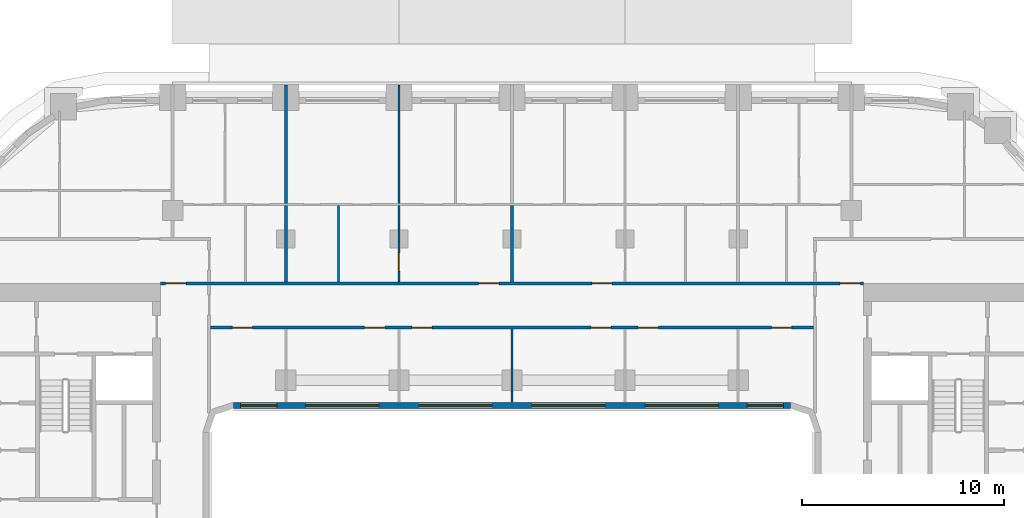
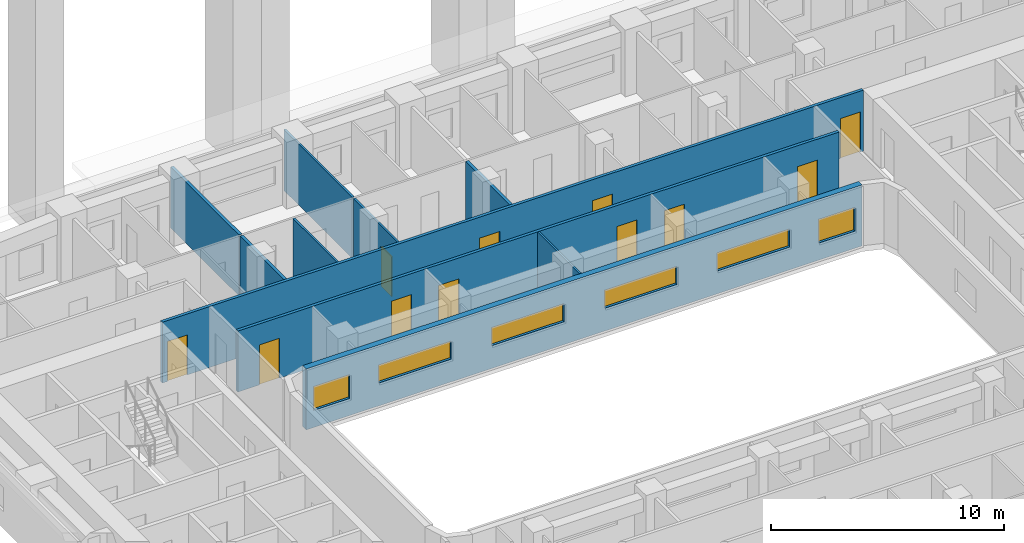
# One storey, part 8 of 19: 11 doors, 10 walls, 6 windows, 17 openings.
"""IFC4 building model written with IfcOpenShell, lengths in metres."""

from ifc_helpers import new_model, si_unit, direction, frame, frame_2d, origin, place, context, subcontext, project, spatial, rectangle, extrude, material, layer, layer_set, type_object, element, fill, save


model = new_model("IFC4")

# Units and contexts
model_context = context("Model", 3, precision=1e-05, world=origin(), true_north=direction((0.0, 1.0)))
body_context = subcontext(model_context, "Body", "Model", "MODEL_VIEW")
ifc_project = project(units=[si_unit("LENGTHUNIT", "METRE"), si_unit("AREAUNIT", "SQUARE_METRE"), si_unit("VOLUMEUNIT", "CUBIC_METRE"), si_unit("PLANEANGLEUNIT", "RADIAN"), si_unit("MASSUNIT", "GRAM", prefix="KILO")], contexts=[model_context])

# Site, building, storey
site_placement = place(None, origin())
site = spatial("IfcSite", under=ifc_project, at=site_placement, CompositionType="ELEMENT")
building_placement = place(site_placement, origin())
building = spatial("IfcBuilding", under=site, at=building_placement, Name="Kiln Ring Residences", CompositionType="ELEMENT")
storey_placement = place(building_placement, frame((0.0, 0.0, 83.300048828125)))
storey = spatial("IfcBuildingStorey", under=building, at=storey_placement, Name="L20", CompositionType="ELEMENT", Elevation=83.300048828125)

# Wall, openings, windows
ifc_material_1 = material(Name="Brick masonry, dark clay brick", Category="masonry")
ifc_layer_1 = layer(ifc_material_1, 0.300048828125)
ifc_layer_set_1 = layer_set([ifc_layer_1], Name="EW-300 BRICK WALL")
wall_type_1 = type_object("IfcWallType", Name="EW-300 BRICK WALL", PredefinedType="SOLIDWALL", material=ifc_layer_set_1)
wall_1_placement = place(storey_placement, frame((-13.800048828125, 7.14990234375, 0.0), z_axis=(0.0, 0.0, 1.0), x_axis=(1.0, 0.0, 0.0)))
wall_1 = element("IfcWall", 1, at=wall_1_placement, inside=storey, type_object=wall_type_1, Name="Facade wall L20 50", PredefinedType="SOLIDWALL", context=body_context, shape_type="SweptSolid", body=[
    extrude(rectangle(XDim=27.60009765625, YDim=0.300048828125, at=frame_2d((13.800048828125, 0.0))), origin(), (0.0, 0.0, 1.0), 3.199951171875),
])
opening_1_placement = place(wall_1_placement, frame((0.362548828125, 0.0, 0.89990234375)))
opening_1 = element("IfcOpeningElement", 2, at=opening_1_placement, cuts=wall_1, Name="Opening W2", PredefinedType="OPENING", context=body_context, shape_type="SweptSolid", body=[
    extrude(rectangle(XDim=1.800048828125, YDim=1.25, at=frame_2d((0.89990234375, 0.625))), frame((0.0, 0.159912109375, 0.0), z_axis=(0.0, -1.0, 0.0), x_axis=(1.0, 0.0, 0.0)), (0.0, 0.0, 1.0), 0.320068359375),
])
opening_2_placement = place(wall_1_placement, frame((3.60009765625, 0.0, 1.199951171875)))
opening_2 = element("IfcOpeningElement", 3, at=opening_2_placement, cuts=wall_1, Name="Opening W4", PredefinedType="OPENING", context=body_context, shape_type="SweptSolid", body=[
    extrude(rectangle(XDim=3.60009765625, YDim=0.949951171875, at=frame_2d((1.800048828125, 0.47509765625))), frame((0.0, 0.159912109375, 0.0), z_axis=(0.0, -1.0, 0.0), x_axis=(1.0, 0.0, 0.0)), (0.0, 0.0, 1.0), 0.320068359375),
])
opening_3_placement = place(wall_1_placement, frame((9.199951171875, 0.0, 1.199951171875)))
opening_3 = element("IfcOpeningElement", 4, at=opening_3_placement, cuts=wall_1, Name="Opening W4", PredefinedType="OPENING", context=body_context, shape_type="SweptSolid", body=[
    extrude(rectangle(XDim=3.60009765625, YDim=0.949951171875, at=frame_2d((1.800048828125, 0.47509765625))), frame((0.0, 0.159912109375, 0.0), z_axis=(0.0, -1.0, 0.0), x_axis=(1.0, 0.0, 0.0)), (0.0, 0.0, 1.0), 0.320068359375),
])
opening_4_placement = place(wall_1_placement, frame((14.800048828125, 0.0, 1.199951171875)))
opening_4 = element("IfcOpeningElement", 5, at=opening_4_placement, cuts=wall_1, Name="Opening W4", PredefinedType="OPENING", context=body_context, shape_type="SweptSolid", body=[
    extrude(rectangle(XDim=3.60009765625, YDim=0.949951171875, at=frame_2d((1.800048828125, 0.47509765625))), frame((0.0, 0.159912109375, 0.0), z_axis=(0.0, -1.0, 0.0), x_axis=(1.0, 0.0, 0.0)), (0.0, 0.0, 1.0), 0.320068359375),
])
opening_5_placement = place(wall_1_placement, frame((20.39990234375, 0.0, 1.199951171875)))
opening_5 = element("IfcOpeningElement", 6, at=opening_5_placement, cuts=wall_1, Name="Opening W4", PredefinedType="OPENING", context=body_context, shape_type="SweptSolid", body=[
    extrude(rectangle(XDim=3.60009765625, YDim=0.949951171875, at=frame_2d((1.800048828125, 0.47509765625))), frame((0.0, 0.159912109375, 0.0), z_axis=(0.0, -1.0, 0.0), x_axis=(1.0, 0.0, 0.0)), (0.0, 0.0, 1.0), 0.320068359375),
])
opening_6_placement = place(wall_1_placement, frame((25.4375, 0.0, 0.89990234375)))
opening_6 = element("IfcOpeningElement", 7, at=opening_6_placement, cuts=wall_1, Name="Opening W2", PredefinedType="OPENING", context=body_context, shape_type="SweptSolid", body=[
    extrude(rectangle(XDim=1.800048828125, YDim=1.25, at=frame_2d((0.89990234375, 0.625))), frame((0.0, 0.159912109375, 0.0), z_axis=(0.0, -1.0, 0.0), x_axis=(1.0, 0.0, 0.0)), (0.0, 0.0, 1.0), 0.320068359375),
])
ifc_material_2 = material(Name="Aluminium frame with double glazing", Category="aluminium")
window_type_1 = type_object("IfcWindowType", Name="WINDOW 1800 x 1250", PartitioningType="SINGLE_PANEL", PredefinedType="WINDOW", material=ifc_material_2)
window_1_placement = place(opening_1_placement, origin())
window_1 = element("IfcWindow", 8, at=window_1_placement, inside=storey, type_object=window_type_1, Name="Window L20 29", OverallHeight=1.25, OverallWidth=1.800048828125, PartitioningType="SINGLE_PANEL", PredefinedType="WINDOW", context=body_context, shape_type="SweptSolid", body=[
    extrude(rectangle(XDim=1.800048828125, YDim=1.25, at=frame_2d((0.89990234375, 0.625))), frame((0.0, 0.030029296875, 0.0), z_axis=(0.0, -1.0, 0.0), x_axis=(1.0, 0.0, 0.0)), (0.0, 0.0, 1.0), 0.06005859375),
])
fill(opening_1, window_1)
window_2_placement = place(opening_6_placement, origin())
window_2 = element("IfcWindow", 9, at=window_2_placement, inside=storey, type_object=window_type_1, Name="Window L20 34", OverallHeight=1.25, OverallWidth=1.800048828125, PartitioningType="SINGLE_PANEL", PredefinedType="WINDOW", context=body_context, shape_type="SweptSolid", body=[
    extrude(rectangle(XDim=1.800048828125, YDim=1.25, at=frame_2d((0.89990234375, 0.625))), frame((0.0, 0.030029296875, 0.0), z_axis=(0.0, -1.0, 0.0), x_axis=(1.0, 0.0, 0.0)), (0.0, 0.0, 1.0), 0.06005859375),
])
fill(opening_6, window_2)
ifc_material_3 = material(Name="Aluminium frame with double glazing", Category="aluminium")
window_type_2 = type_object("IfcWindowType", Name="WINDOW 3600 x 950", PartitioningType="SINGLE_PANEL", PredefinedType="WINDOW", material=ifc_material_3)
window_3_placement = place(opening_2_placement, origin())
window_3 = element("IfcWindow", 10, at=window_3_placement, inside=storey, type_object=window_type_2, Name="Window L20 30", OverallHeight=0.949951171875, OverallWidth=3.60009765625, PartitioningType="SINGLE_PANEL", PredefinedType="WINDOW", context=body_context, shape_type="SweptSolid", body=[
    extrude(rectangle(XDim=3.60009765625, YDim=0.949951171875, at=frame_2d((1.800048828125, 0.47509765625))), frame((0.0, 0.030029296875, 0.0), z_axis=(0.0, -1.0, 0.0), x_axis=(1.0, 0.0, 0.0)), (0.0, 0.0, 1.0), 0.06005859375),
])
fill(opening_2, window_3)
window_4_placement = place(opening_3_placement, origin())
window_4 = element("IfcWindow", 11, at=window_4_placement, inside=storey, type_object=window_type_2, Name="Window L20 31", OverallHeight=0.949951171875, OverallWidth=3.60009765625, PartitioningType="SINGLE_PANEL", PredefinedType="WINDOW", context=body_context, shape_type="SweptSolid", body=[
    extrude(rectangle(XDim=3.60009765625, YDim=0.949951171875, at=frame_2d((1.800048828125, 0.47509765625))), frame((0.0, 0.030029296875, 0.0), z_axis=(0.0, -1.0, 0.0), x_axis=(1.0, 0.0, 0.0)), (0.0, 0.0, 1.0), 0.06005859375),
])
fill(opening_3, window_4)
window_5_placement = place(opening_4_placement, origin())
window_5 = element("IfcWindow", 12, at=window_5_placement, inside=storey, type_object=window_type_2, Name="Window L20 32", OverallHeight=0.949951171875, OverallWidth=3.60009765625, PartitioningType="SINGLE_PANEL", PredefinedType="WINDOW", context=body_context, shape_type="SweptSolid", body=[
    extrude(rectangle(XDim=3.60009765625, YDim=0.949951171875, at=frame_2d((1.800048828125, 0.47509765625))), frame((0.0, 0.030029296875, 0.0), z_axis=(0.0, -1.0, 0.0), x_axis=(1.0, 0.0, 0.0)), (0.0, 0.0, 1.0), 0.06005859375),
])
fill(opening_4, window_5)
window_6_placement = place(opening_5_placement, origin())
window_6 = element("IfcWindow", 13, at=window_6_placement, inside=storey, type_object=window_type_2, Name="Window L20 33", OverallHeight=0.949951171875, OverallWidth=3.60009765625, PartitioningType="SINGLE_PANEL", PredefinedType="WINDOW", context=body_context, shape_type="SweptSolid", body=[
    extrude(rectangle(XDim=3.60009765625, YDim=0.949951171875, at=frame_2d((1.800048828125, 0.47509765625))), frame((0.0, 0.030029296875, 0.0), z_axis=(0.0, -1.0, 0.0), x_axis=(1.0, 0.0, 0.0)), (0.0, 0.0, 1.0), 0.06005859375),
])
fill(opening_5, window_6)

# Wall
ifc_material_4 = material(Name="Gypsum board on steel studs", Category="steel")
ifc_layer_2 = layer(ifc_material_4, 0.10009765625)
ifc_layer_set_2 = layer_set([ifc_layer_2], Name="PARTITION-100")
wall_type_2 = type_object("IfcWallType", Name="PARTITION-100", PredefinedType="PARTITIONING", material=ifc_layer_set_2)
wall_2_placement = place(storey_placement, frame((-8.60009765625, 13.27490234375, 0.0), z_axis=(0.0, 0.0, 1.0), x_axis=(0.0, 1.0, 0.0)))
element("IfcWall", 14, at=wall_2_placement, inside=storey, type_object=wall_type_2, Name="Partition 036", PredefinedType="PARTITIONING", context=body_context, shape_type="SweptSolid", body=[
    extrude(rectangle(XDim=3.775146484375, YDim=0.10009765625, at=frame_2d((1.8876953125, 0.0))), origin(), (0.0, 0.0, 1.0), 3.199951171875),
])

# Wall, opening, door
wall_3_placement = place(storey_placement, frame((-5.60009765625, 13.27490234375, 0.0), z_axis=(0.0, 0.0, 1.0), x_axis=(0.0, 1.0, 0.0)))
wall_3 = element("IfcWall", 15, at=wall_3_placement, inside=storey, type_object=wall_type_2, Name="Partition 039", PredefinedType="PARTITIONING", context=body_context, shape_type="SweptSolid", body=[
    extrude(rectangle(XDim=3.775146484375, YDim=0.10009765625, at=frame_2d((1.8876953125, 0.0))), origin(), (0.0, 0.0, 1.0), 3.199951171875),
])
opening_7_placement = place(wall_3_placement, frame((0.52490234375, 0.0, 0.0)))
opening_7 = element("IfcOpeningElement", 16, at=opening_7_placement, cuts=wall_3, Name="Opening L20-D020", PredefinedType="OPENING", context=body_context, shape_type="SweptSolid", body=[
    extrude(rectangle(XDim=0.89990234375, YDim=2.10009765625, at=frame_2d((0.449951171875, 1.050048828125))), frame((0.0, 0.06005859375, 0.0), z_axis=(0.0, -1.0, 0.0), x_axis=(1.0, 0.0, 0.0)), (0.0, 0.0, 1.0), 0.1201171875),
])
ifc_material_5 = material(Name="Timber door leaf", Category="wood")
door_type_1 = type_object("IfcDoorType", Name="FLAT-DOOR-900-PL", OperationType="SINGLE_SWING_LEFT", PredefinedType="DOOR", material=ifc_material_5)
door_1_placement = place(opening_7_placement, origin())
door_1 = element("IfcDoor", 17, at=door_1_placement, inside=storey, type_object=door_type_1, Name="Door L20-D020", OperationType="SINGLE_SWING_RIGHT", OverallHeight=2.10009765625, OverallWidth=0.89990234375, PredefinedType="DOOR", context=body_context, shape_type="SweptSolid", body=[
    extrude(rectangle(XDim=0.89990234375, YDim=2.10009765625, at=frame_2d((0.449951171875, 1.050048828125))), frame((0.0, 0.02490234375, 0.0), z_axis=(0.0, -1.0, 0.0), x_axis=(1.0, 0.0, 0.0)), (0.0, 0.0, 1.0), 0.050048828125),
])
fill(opening_7, door_1)

# Walls
wall_4_placement = place(storey_placement, frame((-5.60009765625, 17.14990234375, 0.0), z_axis=(0.0, 0.0, 1.0), x_axis=(0.0, 1.0, 0.0)))
element("IfcWall", 18, at=wall_4_placement, inside=storey, type_object=wall_type_2, Name="Partition 040", PredefinedType="PARTITIONING", context=body_context, shape_type="SweptSolid", body=[
    extrude(rectangle(XDim=5.880126953125, YDim=0.10009765625, at=frame_2d((2.93994140625, 0.0))), origin(), (0.0, 0.0, 1.0), 3.199951171875),
])
wall_5_placement = place(storey_placement, frame((0.0, 7.320068359375, 0.0), z_axis=(0.0, 0.0, 1.0), x_axis=(0.0, 1.0, 0.0)))
element("IfcWall", 19, at=wall_5_placement, inside=storey, type_object=wall_type_2, Name="Partition 048", PredefinedType="PARTITIONING", context=body_context, shape_type="SweptSolid", body=[
    extrude(rectangle(XDim=3.60498046875, YDim=0.10009765625, at=frame_2d((1.802490234375, 0.0))), origin(), (0.0, 0.0, 1.0), 3.199951171875),
])

# Wall, openings, doors
ifc_material_6 = material(Name="Brick masonry partition", Category="masonry")
ifc_layer_3 = layer(ifc_material_6, 0.14990234375)
ifc_layer_set_3 = layer_set([ifc_layer_3], Name="PARTITION-150-ei60")
wall_type_3 = type_object("IfcWallType", Name="PARTITION-150-ei60", PredefinedType="PARTITIONING", material=ifc_layer_set_3)
wall_6_placement = place(storey_placement, frame((-14.925048828125, 11.0, 0.0), z_axis=(0.0, 0.0, 1.0), x_axis=(1.0, 0.0, 0.0)))
wall_6 = element("IfcWall", 20, at=wall_6_placement, inside=storey, type_object=wall_type_3, Name="Partition 007", PredefinedType="PARTITIONING", context=body_context, shape_type="SweptSolid", body=[
    extrude(rectangle(XDim=29.85009765625, YDim=0.14990234375, at=frame_2d((14.925048828125, 0.0))), origin(), (0.0, 0.0, 1.0), 3.199951171875),
])
opening_8_placement = place(wall_6_placement, frame((1.075927734375, 0.0, 0.0)))
opening_8 = element("IfcOpeningElement", 21, at=opening_8_placement, cuts=wall_6, Name="Opening L20-D009", PredefinedType="OPENING", context=body_context, shape_type="SweptSolid", body=[
    extrude(rectangle(XDim=1.0, YDim=2.10009765625, at=frame_2d((0.5, 1.050048828125))), frame((0.0, 0.0849609375, 0.0), z_axis=(0.0, -1.0, 0.0), x_axis=(1.0, 0.0, 0.0)), (0.0, 0.0, 1.0), 0.169921875),
])
opening_9_placement = place(wall_6_placement, frame((7.625, 0.0, 0.0)))
opening_9 = element("IfcOpeningElement", 22, at=opening_9_placement, cuts=wall_6, Name="Opening L20-D010", PredefinedType="OPENING", context=body_context, shape_type="SweptSolid", body=[
    extrude(rectangle(XDim=1.0, YDim=2.10009765625, at=frame_2d((0.5, 1.050048828125))), frame((0.0, 0.0849609375, 0.0), z_axis=(0.0, -1.0, 0.0), x_axis=(1.0, 0.0, 0.0)), (0.0, 0.0, 1.0), 0.169921875),
])
opening_10_placement = place(wall_6_placement, frame((9.97509765625, 0.0, 0.0)))
opening_10 = element("IfcOpeningElement", 23, at=opening_10_placement, cuts=wall_6, Name="Opening L20-D011", PredefinedType="OPENING", context=body_context, shape_type="SweptSolid", body=[
    extrude(rectangle(XDim=1.0, YDim=2.10009765625, at=frame_2d((0.5, 1.050048828125))), frame((0.0, 0.0849609375, 0.0), z_axis=(0.0, -1.0, 0.0), x_axis=(1.0, 0.0, 0.0)), (0.0, 0.0, 1.0), 0.169921875),
])
opening_11_placement = place(wall_6_placement, frame((18.824951171875, 0.0, 0.0)))
opening_11 = element("IfcOpeningElement", 24, at=opening_11_placement, cuts=wall_6, Name="Opening L20-D012", PredefinedType="OPENING", context=body_context, shape_type="SweptSolid", body=[
    extrude(rectangle(XDim=1.0, YDim=2.10009765625, at=frame_2d((0.5, 1.050048828125))), frame((0.0, 0.0849609375, 0.0), z_axis=(0.0, -1.0, 0.0), x_axis=(1.0, 0.0, 0.0)), (0.0, 0.0, 1.0), 0.169921875),
])
opening_12_placement = place(wall_6_placement, frame((21.175048828125, 0.0, 0.0)))
opening_12 = element("IfcOpeningElement", 25, at=opening_12_placement, cuts=wall_6, Name="Opening L20-D013", PredefinedType="OPENING", context=body_context, shape_type="SweptSolid", body=[
    extrude(rectangle(XDim=1.0, YDim=2.10009765625, at=frame_2d((0.5, 1.050048828125))), frame((0.0, 0.0849609375, 0.0), z_axis=(0.0, -1.0, 0.0), x_axis=(1.0, 0.0, 0.0)), (0.0, 0.0, 1.0), 0.169921875),
])
opening_13_placement = place(wall_6_placement, frame((27.77490234375, 0.0, 0.0)))
opening_13 = element("IfcOpeningElement", 26, at=opening_13_placement, cuts=wall_6, Name="Opening L20-D014", PredefinedType="OPENING", context=body_context, shape_type="SweptSolid", body=[
    extrude(rectangle(XDim=1.0, YDim=2.10009765625, at=frame_2d((0.5, 1.050048828125))), frame((0.0, 0.0849609375, 0.0), z_axis=(0.0, -1.0, 0.0), x_axis=(1.0, 0.0, 0.0)), (0.0, 0.0, 1.0), 0.169921875),
])
ifc_material_7 = material(Name="Steel faced fire door leaf", Category="steel")
door_type_2 = type_object("IfcDoorType", Name="FLAT-DOOR-1000-FR", OperationType="SINGLE_SWING_LEFT", PredefinedType="DOOR", material=ifc_material_7)
door_2_placement = place(opening_8_placement, origin())
door_2 = element("IfcDoor", 27, at=door_2_placement, inside=storey, type_object=door_type_2, Name="Door L20-D009", OperationType="SINGLE_SWING_LEFT", OverallHeight=2.10009765625, OverallWidth=1.0, PredefinedType="DOOR", context=body_context, shape_type="SweptSolid", body=[
    extrude(rectangle(XDim=1.0, YDim=2.10009765625, at=frame_2d((0.5, 1.050048828125))), frame((0.0, 0.02490234375, 0.0), z_axis=(0.0, -1.0, 0.0), x_axis=(1.0, 0.0, 0.0)), (0.0, 0.0, 1.0), 0.050048828125),
])
fill(opening_8, door_2)
door_3_placement = place(opening_9_placement, origin())
door_3 = element("IfcDoor", 28, at=door_3_placement, inside=storey, type_object=door_type_2, Name="Door L20-D010", OperationType="SINGLE_SWING_RIGHT", OverallHeight=2.10009765625, OverallWidth=1.0, PredefinedType="DOOR", context=body_context, shape_type="SweptSolid", body=[
    extrude(rectangle(XDim=1.0, YDim=2.10009765625, at=frame_2d((0.5, 1.050048828125))), frame((0.0, 0.02490234375, 0.0), z_axis=(0.0, -1.0, 0.0), x_axis=(1.0, 0.0, 0.0)), (0.0, 0.0, 1.0), 0.050048828125),
])
fill(opening_9, door_3)
door_4_placement = place(opening_10_placement, origin())
door_4 = element("IfcDoor", 29, at=door_4_placement, inside=storey, type_object=door_type_2, Name="Door L20-D011", OperationType="SINGLE_SWING_LEFT", OverallHeight=2.10009765625, OverallWidth=1.0, PredefinedType="DOOR", context=body_context, shape_type="SweptSolid", body=[
    extrude(rectangle(XDim=1.0, YDim=2.10009765625, at=frame_2d((0.5, 1.050048828125))), frame((0.0, 0.02490234375, 0.0), z_axis=(0.0, -1.0, 0.0), x_axis=(1.0, 0.0, 0.0)), (0.0, 0.0, 1.0), 0.050048828125),
])
fill(opening_10, door_4)
door_5_placement = place(opening_11_placement, origin())
door_5 = element("IfcDoor", 30, at=door_5_placement, inside=storey, type_object=door_type_2, Name="Door L20-D012", OperationType="SINGLE_SWING_RIGHT", OverallHeight=2.10009765625, OverallWidth=1.0, PredefinedType="DOOR", context=body_context, shape_type="SweptSolid", body=[
    extrude(rectangle(XDim=1.0, YDim=2.10009765625, at=frame_2d((0.5, 1.050048828125))), frame((0.0, 0.02490234375, 0.0), z_axis=(0.0, -1.0, 0.0), x_axis=(1.0, 0.0, 0.0)), (0.0, 0.0, 1.0), 0.050048828125),
])
fill(opening_11, door_5)
door_6_placement = place(opening_12_placement, origin())
door_6 = element("IfcDoor", 31, at=door_6_placement, inside=storey, type_object=door_type_2, Name="Door L20-D013", OperationType="SINGLE_SWING_LEFT", OverallHeight=2.10009765625, OverallWidth=1.0, PredefinedType="DOOR", context=body_context, shape_type="SweptSolid", body=[
    extrude(rectangle(XDim=1.0, YDim=2.10009765625, at=frame_2d((0.5, 1.050048828125))), frame((0.0, 0.02490234375, 0.0), z_axis=(0.0, -1.0, 0.0), x_axis=(1.0, 0.0, 0.0)), (0.0, 0.0, 1.0), 0.050048828125),
])
fill(opening_12, door_6)
door_7_placement = place(opening_13_placement, origin())
door_7 = element("IfcDoor", 32, at=door_7_placement, inside=storey, type_object=door_type_2, Name="Door L20-D014", OperationType="SINGLE_SWING_RIGHT", OverallHeight=2.10009765625, OverallWidth=1.0, PredefinedType="DOOR", context=body_context, shape_type="SweptSolid", body=[
    extrude(rectangle(XDim=1.0, YDim=2.10009765625, at=frame_2d((0.5, 1.050048828125))), frame((0.0, 0.02490234375, 0.0), z_axis=(0.0, -1.0, 0.0), x_axis=(1.0, 0.0, 0.0)), (0.0, 0.0, 1.0), 0.050048828125),
])
fill(opening_13, door_7)

wall_7_placement = place(storey_placement, frame((-17.39990234375, 13.199951171875, 0.0), z_axis=(0.0, 0.0, 1.0), x_axis=(1.0, 0.0, 0.0)))
wall_7 = element("IfcWall", 33, at=wall_7_placement, inside=storey, type_object=wall_type_3, Name="Partition 008", PredefinedType="PARTITIONING", context=body_context, shape_type="SweptSolid", body=[
    extrude(rectangle(XDim=34.7998046875, YDim=0.14990234375, at=frame_2d((17.39990234375, 0.0))), origin(), (0.0, 0.0, 1.0), 3.199951171875),
])
opening_14_placement = place(wall_7_placement, frame((0.25, 0.0, 0.0)))
opening_14 = element("IfcOpeningElement", 34, at=opening_14_placement, cuts=wall_7, Name="Opening L20-D003", PredefinedType="OPENING", context=body_context, shape_type="SweptSolid", body=[
    extrude(rectangle(XDim=1.0, YDim=2.10009765625, at=frame_2d((0.5, 1.050048828125))), frame((0.0, 0.0849609375, 0.0), z_axis=(0.0, -1.0, 0.0), x_axis=(1.0, 0.0, 0.0)), (0.0, 0.0, 1.0), 0.169921875),
])
opening_15_placement = place(wall_7_placement, frame((33.64990234375, 0.0, 0.0)))
opening_15 = element("IfcOpeningElement", 35, at=opening_15_placement, cuts=wall_7, Name="Opening L20-D004", PredefinedType="OPENING", context=body_context, shape_type="SweptSolid", body=[
    extrude(rectangle(XDim=1.0, YDim=2.10009765625, at=frame_2d((0.5, 1.050048828125))), frame((0.0, 0.0849609375, 0.0), z_axis=(0.0, -1.0, 0.0), x_axis=(1.0, 0.0, 0.0)), (0.0, 0.0, 1.0), 0.169921875),
])
opening_16_placement = place(wall_7_placement, frame((15.75, 0.0, 0.0)))
opening_16 = element("IfcOpeningElement", 36, at=opening_16_placement, cuts=wall_7, Name="Opening L20-D019", PredefinedType="OPENING", context=body_context, shape_type="SweptSolid", body=[
    extrude(rectangle(XDim=1.0, YDim=2.10009765625, at=frame_2d((0.5, 1.050048828125))), frame((0.0, 0.0849609375, 0.0), z_axis=(0.0, -1.0, 0.0), x_axis=(1.0, 0.0, 0.0)), (0.0, 0.0, 1.0), 0.169921875),
])
opening_17_placement = place(wall_7_placement, frame((21.35009765625, 0.0, 0.0)))
opening_17 = element("IfcOpeningElement", 37, at=opening_17_placement, cuts=wall_7, Name="Opening L20-D025", PredefinedType="OPENING", context=body_context, shape_type="SweptSolid", body=[
    extrude(rectangle(XDim=1.0, YDim=2.10009765625, at=frame_2d((0.5, 1.050048828125))), frame((0.0, 0.0849609375, 0.0), z_axis=(0.0, -1.0, 0.0), x_axis=(1.0, 0.0, 0.0)), (0.0, 0.0, 1.0), 0.169921875),
])
door_8_placement = place(opening_14_placement, origin())
door_8 = element("IfcDoor", 38, at=door_8_placement, inside=storey, type_object=door_type_2, Name="Door L20-D003", OperationType="SINGLE_SWING_LEFT", OverallHeight=2.10009765625, OverallWidth=1.0, PredefinedType="DOOR", context=body_context, shape_type="SweptSolid", body=[
    extrude(rectangle(XDim=1.0, YDim=2.10009765625, at=frame_2d((0.5, 1.050048828125))), frame((0.0, 0.02490234375, 0.0), z_axis=(0.0, -1.0, 0.0), x_axis=(1.0, 0.0, 0.0)), (0.0, 0.0, 1.0), 0.050048828125),
])
fill(opening_14, door_8)
door_9_placement = place(opening_15_placement, origin())
door_9 = element("IfcDoor", 39, at=door_9_placement, inside=storey, type_object=door_type_2, Name="Door L20-D004", OperationType="SINGLE_SWING_RIGHT", OverallHeight=2.10009765625, OverallWidth=1.0, PredefinedType="DOOR", context=body_context, shape_type="SweptSolid", body=[
    extrude(rectangle(XDim=1.0, YDim=2.10009765625, at=frame_2d((0.5, 1.050048828125))), frame((0.0, 0.02490234375, 0.0), z_axis=(0.0, -1.0, 0.0), x_axis=(1.0, 0.0, 0.0)), (0.0, 0.0, 1.0), 0.050048828125),
])
fill(opening_15, door_9)
door_10_placement = place(opening_16_placement, origin())
door_10 = element("IfcDoor", 40, at=door_10_placement, inside=storey, type_object=door_type_2, Name="Door L20-D019", OperationType="SINGLE_SWING_LEFT", OverallHeight=2.10009765625, OverallWidth=1.0, PredefinedType="DOOR", context=body_context, shape_type="SweptSolid", body=[
    extrude(rectangle(XDim=1.0, YDim=2.10009765625, at=frame_2d((0.5, 1.050048828125))), frame((0.0, 0.02490234375, 0.0), z_axis=(0.0, -1.0, 0.0), x_axis=(1.0, 0.0, 0.0)), (0.0, 0.0, 1.0), 0.050048828125),
])
fill(opening_16, door_10)
door_11_placement = place(opening_17_placement, origin())
door_11 = element("IfcDoor", 41, at=door_11_placement, inside=storey, type_object=door_type_2, Name="Door L20-D025", OperationType="SINGLE_SWING_LEFT", OverallHeight=2.10009765625, OverallWidth=1.0, PredefinedType="DOOR", context=body_context, shape_type="SweptSolid", body=[
    extrude(rectangle(XDim=1.0, YDim=2.10009765625, at=frame_2d((0.5, 1.050048828125))), frame((0.0, 0.02490234375, 0.0), z_axis=(0.0, -1.0, 0.0), x_axis=(1.0, 0.0, 0.0)), (0.0, 0.0, 1.0), 0.050048828125),
])
fill(opening_17, door_11)

# Walls
wall_8_placement = place(storey_placement, frame((-11.199951171875, 13.27490234375, 0.0), z_axis=(0.0, 0.0, 1.0), x_axis=(0.0, 1.0, 0.0)))
element("IfcWall", 42, at=wall_8_placement, inside=storey, type_object=wall_type_3, Name="Partition 033", PredefinedType="PARTITIONING", context=body_context, shape_type="SweptSolid", body=[
    extrude(rectangle(XDim=3.775146484375, YDim=0.14990234375, at=frame_2d((1.8876953125, 0.0))), origin(), (0.0, 0.0, 1.0), 3.199951171875),
])
wall_9_placement = place(storey_placement, frame((-11.199951171875, 17.14990234375, 0.0), z_axis=(0.0, 0.0, 1.0), x_axis=(0.0, 1.0, 0.0)))
element("IfcWall", 43, at=wall_9_placement, inside=storey, type_object=wall_type_3, Name="Partition 034", PredefinedType="PARTITIONING", context=body_context, shape_type="SweptSolid", body=[
    extrude(rectangle(XDim=5.880126953125, YDim=0.14990234375, at=frame_2d((2.93994140625, 0.0))), origin(), (0.0, 0.0, 1.0), 3.199951171875),
])
wall_10_placement = place(storey_placement, frame((0.0, 13.27490234375, 0.0), z_axis=(0.0, 0.0, 1.0), x_axis=(0.0, 1.0, 0.0)))
element("IfcWall", 44, at=wall_10_placement, inside=storey, type_object=wall_type_3, Name="Partition 051", PredefinedType="PARTITIONING", context=body_context, shape_type="SweptSolid", body=[
    extrude(rectangle(XDim=3.775146484375, YDim=0.14990234375, at=frame_2d((1.8876953125, 0.0))), origin(), (0.0, 0.0, 1.0), 3.199951171875),
])

save(model, "model.ifc")
